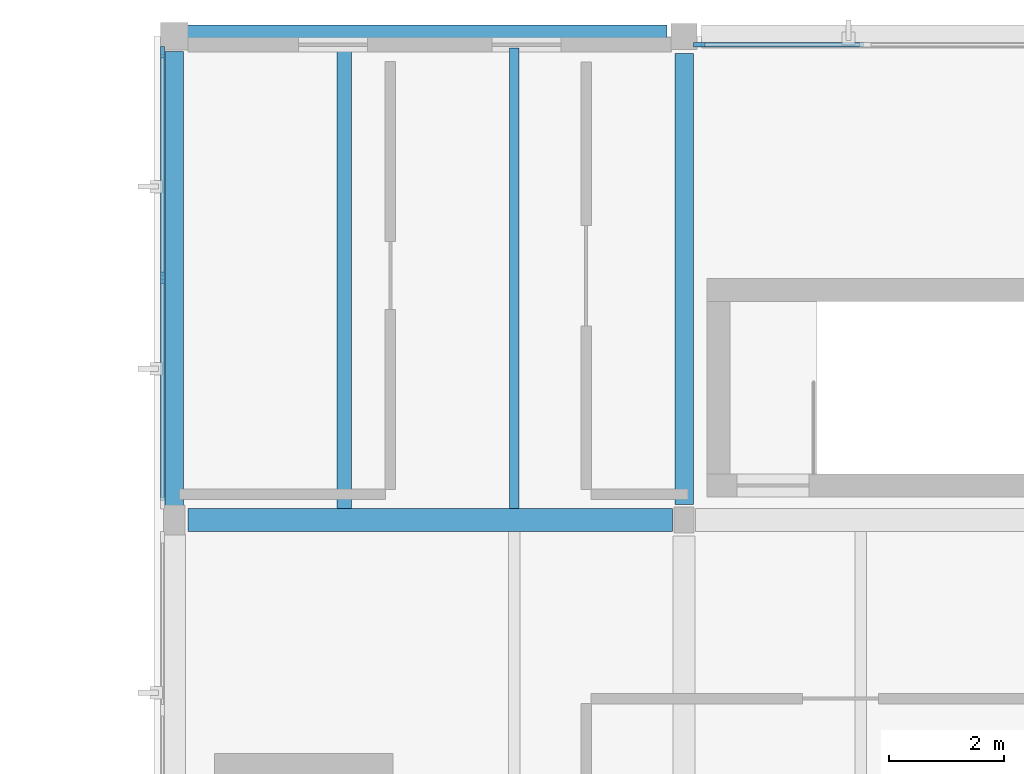
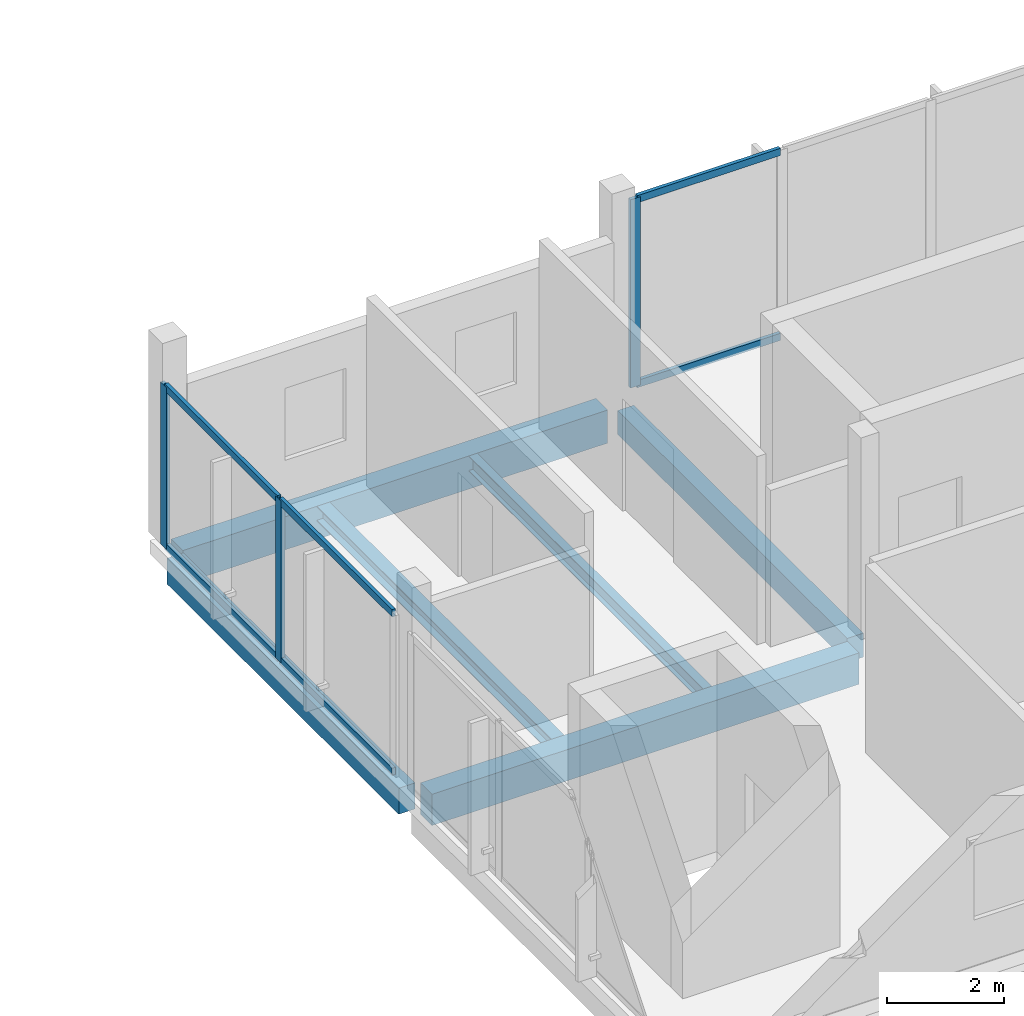
# One storey, part 12 of 35: 9 members, 6 beams, 2 elements without a shape of their own.
"""IFC4 building model written with IfcOpenShell, lengths in metres."""

from ifc_helpers import new_model, si_unit, direction, frame, origin, origin_2d, place, context, subcontext, project, spatial, rectangle, i_section, extrude, material, layer, layer_set, material_profile, profile_set, type_object, element, aggregate, save


model = new_model("IFC4")

# Units and contexts
model_context = context("Model", 3, precision=1e-05, world=origin(), true_north=direction((0.0, 1.0)))
body_context = subcontext(model_context, "Body", "Model", "MODEL_VIEW")
ifc_project = project(units=[si_unit("LENGTHUNIT", "METRE"), si_unit("AREAUNIT", "SQUARE_METRE"), si_unit("VOLUMEUNIT", "CUBIC_METRE"), si_unit("PLANEANGLEUNIT", "RADIAN"), si_unit("MASSUNIT", "GRAM", prefix="KILO")], contexts=[model_context])

# Site, building, storey
site_placement = place(None, origin())
site = spatial("IfcSite", under=ifc_project, at=site_placement, CompositionType="ELEMENT")
building_placement = place(site_placement, origin())
building = spatial("IfcBuilding", under=site, at=building_placement, Name="Birchvale Park Specialist Clinic", CompositionType="ELEMENT")
storey_placement = place(building_placement, frame((0.0, 0.0, 13.800048828125)))
storey = spatial("IfcBuildingStorey", under=building, at=storey_placement, Name="L03", CompositionType="ELEMENT", Elevation=13.800048828125)

# Beams
ifc_material_1 = material(Name="Concrete C40/50", Category="concrete")
ifc_material_profile_1 = material_profile(ifc_material_1, rectangle(XDim=0.39990234375, YDim=0.68994140625, at=origin_2d()), Name="RCB-400x690")
ifc_profile_set_1 = profile_set([ifc_material_profile_1], Name="Concrete C40/50")
beam_type_1 = type_object("IfcBeamType", Name="BM-EXT-BG4", PredefinedType="BEAM", material=ifc_profile_set_1)
beam_1_placement = place(storey_placement, frame((128.534912109375, 91.199951171875, -0.625), z_axis=(1.0, 0.0, 0.0), x_axis=(0.0, 1.0, 0.0)))
element("IfcBeam", 1, at=beam_1_placement, inside=storey, type_object=beam_type_1, Name="V6 L03 X girder 10", PredefinedType="BEAM", context=body_context, shape_type="SweptSolid", body=[
    extrude(rectangle(XDim=0.39990234375, YDim=0.68994140625, at=origin_2d()), origin(), (0.0, 0.0, 1.0), 8.364990234375),
])
ifc_material_profile_2 = material_profile(ifc_material_1, rectangle(XDim=0.320068359375, YDim=0.5400390625, at=origin_2d()), Name="RCB-320x540")
ifc_profile_set_2 = profile_set([ifc_material_profile_2], Name="Concrete C40/50")
beam_type_2 = type_object("IfcBeamType", Name="BM-EXT-BG7", PredefinedType="BEAM", material=ifc_profile_set_2)
beam_2_placement = place(storey_placement, frame((128.35009765625, 83.0400390625, -0.550048828125), z_axis=(0.0, 1.0, 0.0), x_axis=(-1.0, 0.0, 0.0)))
element("IfcBeam", 2, at=beam_2_placement, inside=storey, type_object=beam_type_2, Name="V6 L03 Y girder 15", PredefinedType="BEAM", context=body_context, shape_type="SweptSolid", body=[
    extrude(rectangle(XDim=0.320068359375, YDim=0.5400390625, at=origin_2d()), origin(), (0.0, 0.0, 1.0), 7.89990234375),
])
ifc_material_profile_3 = material_profile(ifc_material_1, rectangle(XDim=0.39990234375, YDim=0.64990234375, at=origin_2d()), Name="RCB-400x650")
ifc_profile_set_3 = profile_set([ifc_material_profile_3], Name="Concrete C40/50")
beam_type_3 = type_object("IfcBeamType", Name="BM-INT-BG4", PredefinedType="BEAM", material=ifc_profile_set_3)
beam_3_placement = place(storey_placement, frame((128.590087890625, 82.800048828125, -0.60498046875), z_axis=(1.0, 0.0, 0.0), x_axis=(0.0, 1.0, 0.0)))
element("IfcBeam", 3, at=beam_3_placement, inside=storey, type_object=beam_type_3, Name="V6 L03 X girder 7", PredefinedType="BEAM", context=body_context, shape_type="SweptSolid", body=[
    extrude(rectangle(XDim=0.39990234375, YDim=0.64990234375, at=origin_2d()), origin(), (0.0, 0.0, 1.0), 8.409912109375),
])
ifc_material_profile_4 = material_profile(ifc_material_1, rectangle(XDim=0.320068359375, YDim=0.5, at=origin_2d()), Name="RCB-320x500")
ifc_profile_set_4 = profile_set([ifc_material_profile_4], Name="Concrete C40/50")
beam_type_4 = type_object("IfcBeamType", Name="BM-INT-BG7", PredefinedType="BEAM", material=ifc_profile_set_4)
beam_4_placement = place(storey_placement, frame((137.199951171875, 83.074951171875, -0.530029296875), z_axis=(0.0, 1.0, 0.0), x_axis=(-1.0, 0.0, 0.0)))
element("IfcBeam", 4, at=beam_4_placement, inside=storey, type_object=beam_type_4, Name="V6 L03 Y girder 18", PredefinedType="BEAM", context=body_context, shape_type="SweptSolid", body=[
    extrude(rectangle(XDim=0.320068359375, YDim=0.5, at=origin_2d()), origin(), (0.0, 0.0, 1.0), 7.824951171875),
])

# Curtain wall, member
ifc_material_2 = material(Name="Thermally broken anodised aluminium", Category="aluminium")
ifc_layer = layer(ifc_material_2, 0.2099609375)
ifc_layer_set = layer_set([ifc_layer], Name="Thermally broken anodised aluminium")
curtain_wall_type = type_object("IfcCurtainWallType", Name="CW-U3", PredefinedType="USERDEFINED", material=ifc_layer_set)
curtain_wall_1_placement = place(storey_placement, origin())
curtain_wall_1 = element("IfcCurtainWall", 5, at=curtain_wall_1_placement, inside=storey, type_object=curtain_wall_type, Name="V6 L03 glazed curtain wall 131", ObjectType="UNITISED", PredefinedType="USERDEFINED")
ifc_material_profile_5 = material_profile(ifc_material_2, rectangle(XDim=0.070068359375, YDim=0.199951171875, at=origin_2d()), Name="CWM-70x200")
ifc_profile_set_5 = profile_set([ifc_material_profile_5], Name="Thermally broken anodised aluminium")
member_type_1 = type_object("IfcMemberType", Name="CWM3", PredefinedType="MULLION", material=ifc_profile_set_5)
member_1_placement = place(storey_placement, frame((137.4599609375, 91.054931640625, 0.0), z_axis=(0.0, 0.0, 1.0), x_axis=(0.0, -1.0, 0.0)))
member_1 = element("IfcMember", 6, at=member_1_placement, type_object=member_type_1, Name="CW mullion 4", PredefinedType="MULLION", context=body_context, shape_type="SweptSolid", body=[
    extrude(rectangle(XDim=0.070068359375, YDim=0.199951171875, at=origin_2d()), origin(), (0.0, 0.0, 1.0), 3.919921875),
])

# Curtain wall, members
curtain_wall_2_placement = place(storey_placement, origin())
curtain_wall_2 = element("IfcCurtainWall", 7, at=curtain_wall_2_placement, inside=storey, type_object=curtain_wall_type, Name="V6 L03 glazed curtain wall 132", ObjectType="UNITISED", PredefinedType="USERDEFINED")
member_2_placement = place(storey_placement, frame((128.14501953125, 90.925048828125, 0.0), z_axis=(0.0, 0.0, 1.0), x_axis=(1.0, 0.0, 0.0)))
member_2 = element("IfcMember", 8, at=member_2_placement, type_object=member_type_1, Name="CW mullion 1", PredefinedType="MULLION", context=body_context, shape_type="SweptSolid", body=[
    extrude(rectangle(XDim=0.070068359375, YDim=0.199951171875, at=origin_2d()), origin(), (0.0, 0.0, 1.0), 3.369873046875),
])
member_3_placement = place(storey_placement, frame((128.14501953125, 87.010009765625, 0.0), z_axis=(0.0, 0.0, 1.0), x_axis=(1.0, 0.0, 0.0)))
member_3 = element("IfcMember", 9, at=member_3_placement, type_object=member_type_1, Name="CW mullion 2", PredefinedType="MULLION", context=body_context, shape_type="SweptSolid", body=[
    extrude(rectangle(XDim=0.070068359375, YDim=0.199951171875, at=origin_2d()), origin(), (0.0, 0.0, 1.0), 3.369873046875),
])

# Member
ifc_material_profile_6 = material_profile(ifc_material_2, rectangle(XDim=0.070068359375, YDim=0.14990234375, at=origin_2d()), Name="CWT-70x150")
ifc_profile_set_6 = profile_set([ifc_material_profile_6], Name="Thermally broken anodised aluminium")
member_type_2 = type_object("IfcMemberType", Name="CWT3", PredefinedType="USERDEFINED", material=ifc_profile_set_6)
member_4_placement = place(storey_placement, frame((140.31494140625, 91.054931640625, 0.034912109375), z_axis=(-1.0, 0.0, 0.0), x_axis=(0.0, -1.0, 0.0)))
member_4 = element("IfcMember", 10, at=member_4_placement, type_object=member_type_2, Name="CW transom 3.1", ObjectType="TRANSOM", PredefinedType="USERDEFINED", context=body_context, shape_type="SweptSolid", body=[
    extrude(rectangle(XDim=0.070068359375, YDim=0.14990234375, at=origin_2d()), origin(), (0.0, 0.0, 1.0), 2.81982421875),
])

member_5_placement = place(storey_placement, frame((140.31494140625, 91.054931640625, 3.885009765625), z_axis=(-1.0, 0.0, 0.0), x_axis=(0.0, -1.0, 0.0)))
member_5 = element("IfcMember", 11, at=member_5_placement, type_object=member_type_2, Name="CW transom 3.2", ObjectType="TRANSOM", PredefinedType="USERDEFINED", context=body_context, shape_type="SweptSolid", body=[
    extrude(rectangle(XDim=0.070068359375, YDim=0.14990234375, at=origin_2d()), origin(), (0.0, 0.0, 1.0), 2.81982421875),
])

aggregate(curtain_wall_1, [member_1, member_4, member_5])

member_6_placement = place(storey_placement, frame((128.14501953125, 90.889892578125, 0.034912109375), z_axis=(0.0, -1.0, 0.0), x_axis=(1.0, 0.0, 0.0)))
member_6 = element("IfcMember", 12, at=member_6_placement, type_object=member_type_2, Name="CW transom 1.1", ObjectType="TRANSOM", PredefinedType="USERDEFINED", context=body_context, shape_type="SweptSolid", body=[
    extrude(rectangle(XDim=0.070068359375, YDim=0.14990234375, at=origin_2d()), origin(), (0.0, 0.0, 1.0), 3.844970703125),
])

member_7_placement = place(storey_placement, frame((128.14501953125, 90.889892578125, 3.3349609375), z_axis=(0.0, -1.0, 0.0), x_axis=(1.0, 0.0, 0.0)))
member_7 = element("IfcMember", 13, at=member_7_placement, type_object=member_type_2, Name="CW transom 1.2", ObjectType="TRANSOM", PredefinedType="USERDEFINED", context=body_context, shape_type="SweptSolid", body=[
    extrude(rectangle(XDim=0.070068359375, YDim=0.14990234375, at=origin_2d()), origin(), (0.0, 0.0, 1.0), 3.844970703125),
])

member_8_placement = place(storey_placement, frame((128.14501953125, 86.97509765625, 0.034912109375), z_axis=(0.0, -1.0, 0.0), x_axis=(1.0, 0.0, 0.0)))
member_8 = element("IfcMember", 14, at=member_8_placement, type_object=member_type_2, Name="CW transom 2.1", ObjectType="TRANSOM", PredefinedType="USERDEFINED", context=body_context, shape_type="SweptSolid", body=[
    extrude(rectangle(XDim=0.070068359375, YDim=0.14990234375, at=origin_2d()), origin(), (0.0, 0.0, 1.0), 3.84521484375),
])

member_9_placement = place(storey_placement, frame((128.14501953125, 86.97509765625, 3.3349609375), z_axis=(0.0, -1.0, 0.0), x_axis=(1.0, 0.0, 0.0)))
member_9 = element("IfcMember", 15, at=member_9_placement, type_object=member_type_2, Name="CW transom 2.2", ObjectType="TRANSOM", PredefinedType="USERDEFINED", context=body_context, shape_type="SweptSolid", body=[
    extrude(rectangle(XDim=0.070068359375, YDim=0.14990234375, at=origin_2d()), origin(), (0.0, 0.0, 1.0), 3.84521484375),
])

aggregate(curtain_wall_2, [member_2, member_3, member_6, member_7, member_8, member_9])

# Beams
ifc_material_3 = material(Name="Steel ASTM A992 Grade 50", Category="steel")
ifc_material_profile_7 = material_profile(ifc_material_3, i_section(OverallWidth=0.25390625, OverallDepth=0.305908203125, WebThickness=0.0087890625, FlangeThickness=0.0146484375, at=origin_2d()), Name="W12X53")
ifc_profile_set_7 = profile_set([ifc_material_profile_7], Name="Steel ASTM A992 Grade 50")
beam_type_5 = type_object("IfcBeamType", Name="STL-INT-SJ2", PredefinedType="JOIST", material=ifc_profile_set_7)
beam_5_placement = place(storey_placement, frame((131.300048828125, 83.0, -0.43310546875), z_axis=(0.0, 1.0, 0.0), x_axis=(-1.0, 0.0, 0.0)))
element("IfcBeam", 16, at=beam_5_placement, inside=storey, type_object=beam_type_5, Name="V6 L03 secondary floor joist 4", PredefinedType="JOIST", context=body_context, shape_type="SweptSolid", body=[
    extrude(i_section(OverallWidth=0.25390625, OverallDepth=0.305908203125, WebThickness=0.0087890625, FlangeThickness=0.0146484375, at=origin_2d()), origin(), (0.0, 0.0, 1.0), 8.0),
])
ifc_material_profile_8 = material_profile(ifc_material_3, i_section(OverallWidth=0.1669921875, OverallDepth=0.31689453125, WebThickness=0.007568359375, FlangeThickness=0.01318359375, at=origin_2d()), Name="W12X35")
ifc_profile_set_8 = profile_set([ifc_material_profile_8], Name="Steel ASTM A992 Grade 50")
beam_type_6 = type_object("IfcBeamType", Name="STL-INT-SJ3", PredefinedType="JOIST", material=ifc_profile_set_8)
beam_6_placement = place(storey_placement, frame((134.25, 83.0, -0.4384765625), z_axis=(0.0, 1.0, 0.0), x_axis=(-1.0, 0.0, 0.0)))
element("IfcBeam", 17, at=beam_6_placement, inside=storey, type_object=beam_type_6, Name="V6 L03 secondary floor joist 5", PredefinedType="JOIST", context=body_context, shape_type="SweptSolid", body=[
    extrude(i_section(OverallWidth=0.1669921875, OverallDepth=0.31689453125, WebThickness=0.007568359375, FlangeThickness=0.01318359375, at=origin_2d()), origin(), (0.0, 0.0, 1.0), 8.0),
])

save(model, "model.ifc")
